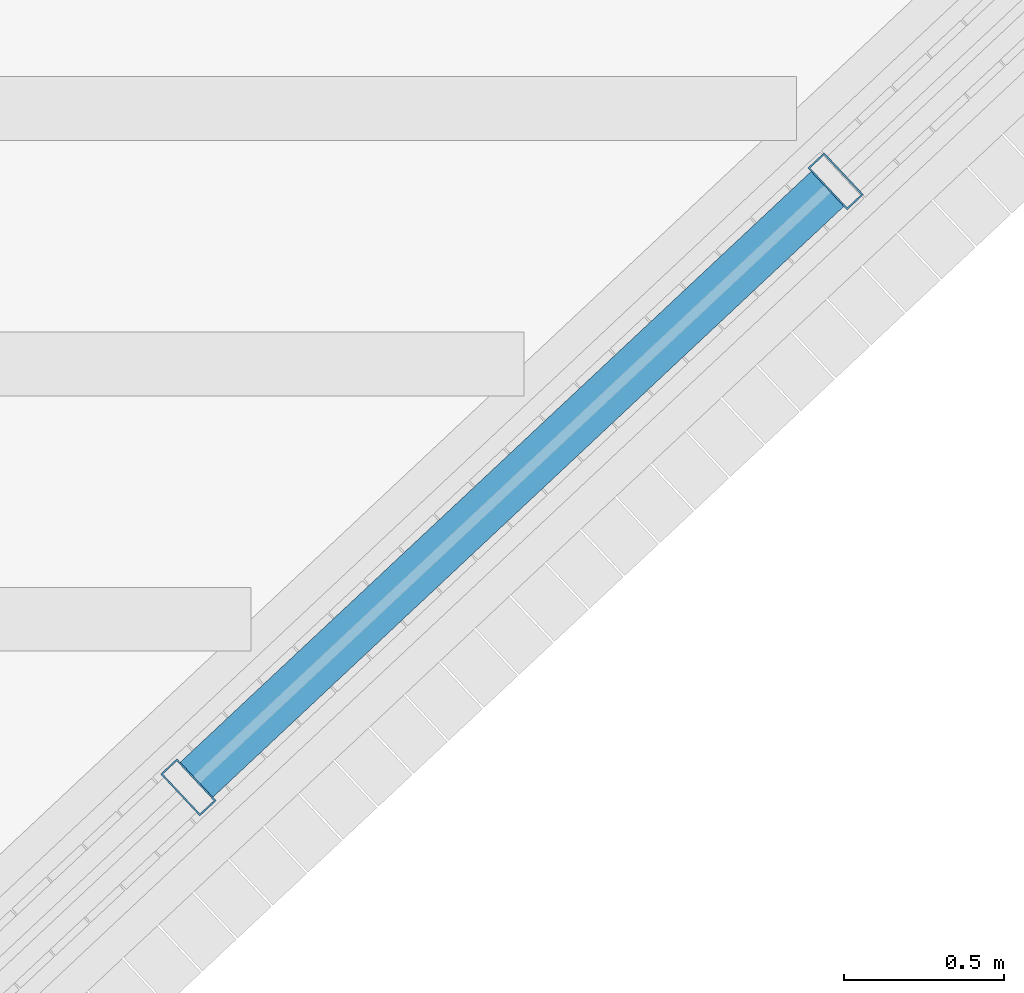
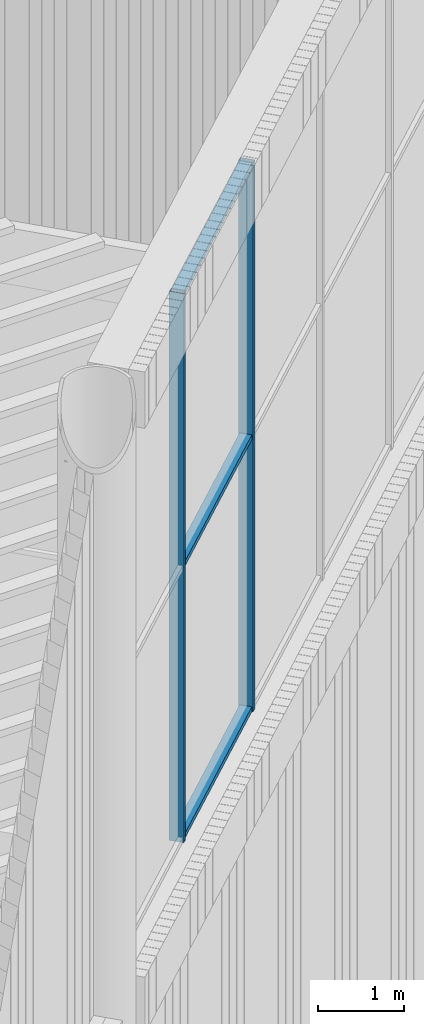
# One storey, part 65 of 117: 5 members, 1 element without a shape of its own.
"""IFC4 building model written with IfcOpenShell, lengths in metres."""

from ifc_helpers import new_model, si_unit, direction, frame, origin, origin_2d, place, context, subcontext, project, spatial, hollow_rectangle, extrude, material, layer, layer_set, material_profile, profile_set, type_object, element, aggregate, save


model = new_model("IFC4")

# Units and contexts
model_context = context("Model", 3, precision=1e-05, world=origin(), true_north=direction((0.0, 1.0)))
body_context = subcontext(model_context, "Body", "Model", "MODEL_VIEW")
ifc_project = project(units=[si_unit("LENGTHUNIT", "METRE"), si_unit("AREAUNIT", "SQUARE_METRE"), si_unit("VOLUMEUNIT", "CUBIC_METRE"), si_unit("PLANEANGLEUNIT", "RADIAN"), si_unit("MASSUNIT", "GRAM", prefix="KILO")], contexts=[model_context])

# Site, building, storey
site_placement = place(None, origin())
site = spatial("IfcSite", under=ifc_project, at=site_placement, CompositionType="ELEMENT")
building_placement = place(site_placement, origin())
building = spatial("IfcBuilding", under=site, at=building_placement, Name="Tarsis Ring Headquarters", CompositionType="ELEMENT")
storey_placement = place(building_placement, frame((0.0, 0.0, 403.60009765625)))
storey = spatial("IfcBuildingStorey", under=building, at=storey_placement, Name="L95", CompositionType="ELEMENT", Elevation=403.60009765625)

# Curtain wall, members
ifc_material_1 = material(Name="Aluminium curtain wall", Category="aluminium")
ifc_layer = layer(ifc_material_1, 0.179931640625)
ifc_layer_set = layer_set([ifc_layer], Name="Curtain wall crown glazing")
curtain_wall_type = type_object("IfcCurtainWallType", Name="Curtain wall crown glazing", PredefinedType="NOTDEFINED", material=ifc_layer_set)
curtain_wall_placement = place(storey_placement, origin())
curtain_wall = element("IfcCurtainWall", 1, at=curtain_wall_placement, inside=storey, type_object=curtain_wall_type, Name="Crown glazing U4", PredefinedType="NOTDEFINED")
ifc_material_2 = material(Name="Aluminium mullion", Category="aluminium")
ifc_material_profile_1 = material_profile(ifc_material_2, hollow_rectangle(XDim=0.179931640625, YDim=0.070068359375, WallThickness=0.0048828125, at=origin_2d()), Name="RHS 180x70x5")
ifc_profile_set_1 = profile_set([ifc_material_profile_1], Name="Aluminium mullion")
member_type_1 = type_object("IfcMemberType", Name="Crown glazing mullion RHS 180x70x5", PredefinedType="MULLION", material=ifc_profile_set_1)
member_1_placement = place(storey_placement, frame((26.1474609375, -23.190673828125, 14.39990234375), z_axis=(0.0, 0.0, 1.0), x_axis=(-0.683528517753, 0.729923807954, 0.0)))
member_1 = element("IfcMember", 2, at=member_1_placement, type_object=member_type_1, Name="CW-C mullion 2", PredefinedType="MULLION", context=body_context, shape_type="SweptSolid", body=[
    extrude(hollow_rectangle(XDim=0.179931640625, YDim=0.070068359375, WallThickness=0.0048828125, at=origin_2d()), origin(), (0.0, 0.0, 1.0), 7.800048828125),
])
member_2_placement = place(storey_placement, frame((28.174560546875, -21.29248046875, 14.39990234375), z_axis=(0.0, 0.0, 1.0), x_axis=(-0.683528517753, 0.729923807954, 0.0)))
member_2 = element("IfcMember", 3, at=member_2_placement, type_object=member_type_1, Name="CW-C mullion 3", PredefinedType="MULLION", context=body_context, shape_type="SweptSolid", body=[
    extrude(hollow_rectangle(XDim=0.179931640625, YDim=0.070068359375, WallThickness=0.0048828125, at=origin_2d()), origin(), (0.0, 0.0, 1.0), 7.800048828125),
])
ifc_material_3 = material(Name="Aluminium transom", Category="aluminium")
ifc_material_profile_2 = material_profile(ifc_material_3, hollow_rectangle(XDim=0.14990234375, YDim=0.070068359375, WallThickness=0.0048828125, at=origin_2d()), Name="RHS 150x70x5")
ifc_profile_set_2 = profile_set([ifc_material_profile_2], Name="Aluminium transom")
member_type_2 = type_object("IfcMemberType", Name="Crown glazing transom RHS 150x70x5", PredefinedType="USERDEFINED", material=ifc_profile_set_2)
member_3_placement = place(storey_placement, frame((26.173095703125, -23.166748046875, 14.434814453125), z_axis=(0.729947680823, 0.683503023593, 0.0), x_axis=(-0.683503023593, 0.729947680823, 0.0)))
member_3 = element("IfcMember", 4, at=member_3_placement, type_object=member_type_2, Name="CW-C transom 2.1", ObjectType="TRANSOM", PredefinedType="USERDEFINED", context=body_context, shape_type="SweptSolid", body=[
    extrude(hollow_rectangle(XDim=0.14990234375, YDim=0.070068359375, WallThickness=0.0048828125, at=origin_2d()), origin(), (0.0, 0.0, 1.0), 2.70703125),
])
member_4_placement = place(storey_placement, frame((26.173095703125, -23.166748046875, 18.2998046875), z_axis=(0.729947680823, 0.683503023593, 0.0), x_axis=(-0.683503023593, 0.729947680823, 0.0)))
member_4 = element("IfcMember", 5, at=member_4_placement, type_object=member_type_2, Name="CW-C transom 2.2", ObjectType="TRANSOM", PredefinedType="USERDEFINED", context=body_context, shape_type="SweptSolid", body=[
    extrude(hollow_rectangle(XDim=0.14990234375, YDim=0.070068359375, WallThickness=0.0048828125, at=origin_2d()), origin(), (0.0, 0.0, 1.0), 2.70703125),
])
member_5_placement = place(storey_placement, frame((26.173095703125, -23.166748046875, 22.164794921875), z_axis=(0.729947680823, 0.683503023593, 0.0), x_axis=(-0.683503023593, 0.729947680823, 0.0)))
member_5 = element("IfcMember", 6, at=member_5_placement, type_object=member_type_2, Name="CW-C transom 2.3", ObjectType="TRANSOM", PredefinedType="USERDEFINED", context=body_context, shape_type="SweptSolid", body=[
    extrude(hollow_rectangle(XDim=0.14990234375, YDim=0.070068359375, WallThickness=0.0048828125, at=origin_2d()), origin(), (0.0, 0.0, 1.0), 2.70703125),
])
aggregate(curtain_wall, [member_1, member_2, member_3, member_4, member_5])

save(model, "model.ifc")
